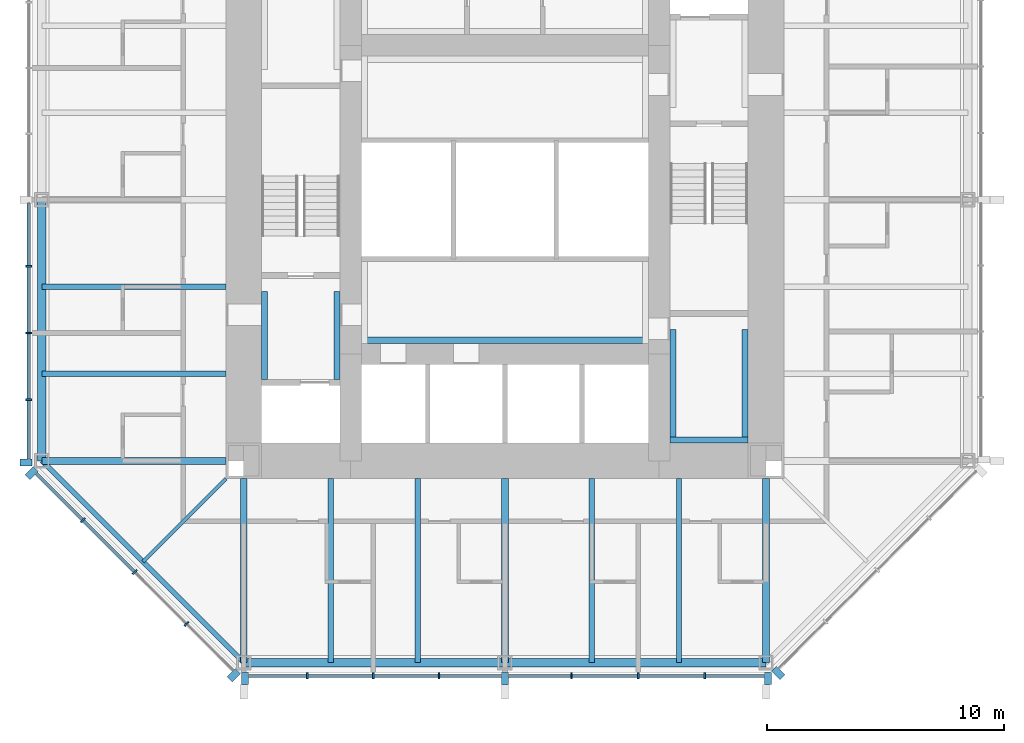
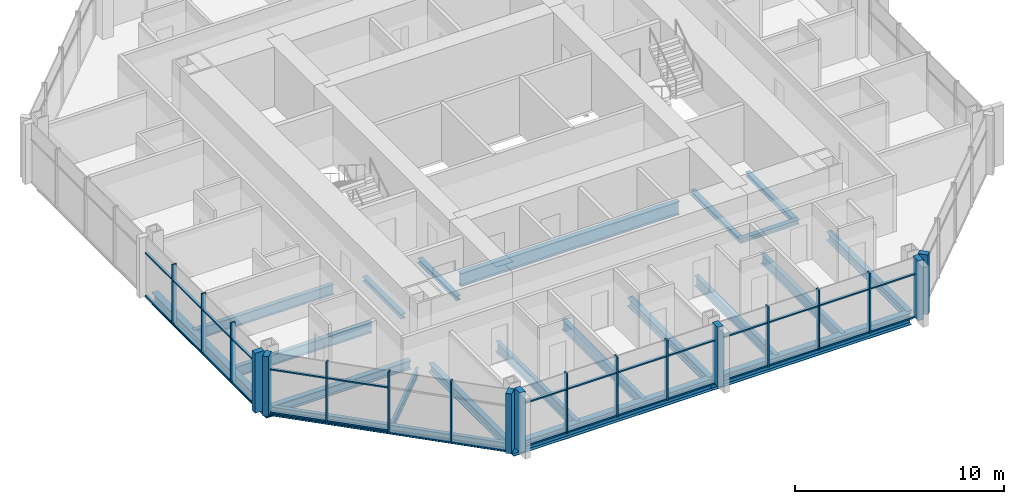
# One storey, part 2 of 12: 47 members, 21 beams, 4 elements without a shape of their own.
"""IFC4 building model written with IfcOpenShell, lengths in metres."""

from ifc_helpers import new_model, si_unit, direction, frame, origin, origin_2d, place, context, subcontext, project, spatial, rectangle, i_section, extrude, material, material_profile, profile_set, type_object, element, aggregate, save


model = new_model("IFC4")

# Units and contexts
model_context = context("Model", 3, precision=1e-05, world=origin(), true_north=direction((0.0, 1.0)))
body_context = subcontext(model_context, "Body", "Model", "MODEL_VIEW")
ifc_project = project(units=[si_unit("LENGTHUNIT", "METRE"), si_unit("AREAUNIT", "SQUARE_METRE"), si_unit("VOLUMEUNIT", "CUBIC_METRE"), si_unit("PLANEANGLEUNIT", "RADIAN"), si_unit("MASSUNIT", "GRAM", prefix="KILO")], contexts=[model_context])

# Site, building, storey
site_placement = place(None, origin())
site = spatial("IfcSite", under=ifc_project, at=site_placement, CompositionType="ELEMENT")
building_placement = place(site_placement, origin())
building = spatial("IfcBuilding", under=site, at=building_placement, Name="Trevanion Tower", CompositionType="ELEMENT")
storey_placement = place(building_placement, frame((0.0, 0.0, 208.199951171875)))
storey = spatial("IfcBuildingStorey", under=building, at=storey_placement, Name="L49", CompositionType="ELEMENT", Elevation=208.199951171875)

# Beams
ifc_material_1 = material(Name="Steel ASTM A992 Grade 50", Category="steel")
ifc_material_profile_1 = material_profile(ifc_material_1, i_section(OverallWidth=0.228271484375, OverallDepth=0.607177734375, WebThickness=0.01123046875, FlangeThickness=0.017333984375, at=origin_2d()), Name="W24X76")
ifc_profile_set_1 = profile_set([ifc_material_profile_1], Name="Steel ASTM A992 Grade 50")
beam_type_1 = type_object("IfcBeamType", Name="B11 W24X76", PredefinedType="BEAM", material=ifc_profile_set_1)
for number, where, z_axis, x_axis, name in (
    (1, (-11.75, -3.666748046875, -0.493408203125), (-1.0, 0.0, 0.0), (0.0, -1.0, 0.0), "B11 L49"),
    (2, (-11.75, -7.333251953125, -0.493408203125), (-1.0, 0.0, 0.0), (0.0, -1.0, 0.0), "B11 L49"),
    (3, (-7.333251953125, -11.75, -0.493408203125), (0.0, -1.0, 0.0), (1.0, 0.0, 0.0), "B11 L49"),
    (4, (-3.666748046875, -11.75, -0.493408203125), (0.0, -1.0, 0.0), (1.0, 0.0, 0.0), "B11 L49"),
    (5, (3.666748046875, -11.75, -0.493408203125), (0.0, -1.0, 0.0), (1.0, 0.0, 0.0), "B11 L49"),
    (6, (7.333251953125, -11.75, -0.493408203125), (0.0, -1.0, 0.0), (1.0, 0.0, 0.0), "B11 L49"),
):
    element("IfcBeam", number, at=place(storey_placement, frame(where, z_axis=z_axis, x_axis=x_axis)), inside=storey, type_object=beam_type_1, Name=name, PredefinedType="BEAM", context=body_context, shape_type="SweptSolid", body=[
        extrude(i_section(OverallWidth=0.228271484375, OverallDepth=0.607177734375, WebThickness=0.01123046875, FlangeThickness=0.017333984375, at=origin_2d()), origin(), (0.0, 0.0, 1.0), 7.75),
    ])
ifc_material_2 = material(Name="Steel ASTM A992 Grade 50", Category="steel")
ifc_material_profile_2 = material_profile(ifc_material_2, i_section(OverallWidth=0.15234375, OverallDepth=0.449462890625, WebThickness=0.007568359375, FlangeThickness=0.0107421875, at=origin_2d()), Name="W18X35")
ifc_profile_set_2 = profile_set([ifc_material_profile_2], Name="Steel ASTM A992 Grade 50")
beam_type_2 = type_object("IfcBeamType", Name="B12 W18X35", PredefinedType="BEAM", material=ifc_profile_set_2)
beam_1_placement = place(storey_placement, frame((-11.75, -11.75, -0.414794921875), z_axis=(-0.707106781187, -0.707106781187, 0.0), x_axis=(0.707106781187, -0.707106781187, 0.0)))
element("IfcBeam", 7, at=beam_1_placement, inside=storey, type_object=beam_type_2, Name="B12 L49", PredefinedType="BEAM", context=body_context, shape_type="SweptSolid", body=[
    extrude(i_section(OverallWidth=0.15234375, OverallDepth=0.449462890625, WebThickness=0.007568359375, FlangeThickness=0.0107421875, at=origin_2d()), origin(), (0.0, 0.0, 1.0), 4.94970703125),
])

# Curtain wall, members
ifc_material_3 = material(Name="Aluminium and glass", Category="aluminium")
curtain_wall_type = type_object("IfcCurtainWallType", Name="CW3 curtain wall", PredefinedType="USERDEFINED", material=ifc_material_3)
curtain_wall_1_placement = place(storey_placement, origin())
curtain_wall_1 = element("IfcCurtainWall", 8, at=curtain_wall_1_placement, inside=storey, type_object=curtain_wall_type, Name="CW3 L49 4", ObjectType="UNITISED CURTAIN WALL", PredefinedType="USERDEFINED")
ifc_material_4 = material(Name="Aluminium extrusion, anodised bronze", Category="aluminium")
ifc_material_profile_3 = material_profile(ifc_material_4, rectangle(XDim=0.074951171875, YDim=0.25, at=origin_2d()), Name="CW3 mullion")
ifc_profile_set_3 = profile_set([ifc_material_profile_3], Name="Aluminium extrusion, anodised bronze")
member_type_1 = type_object("IfcMemberType", Name="CW3 mullion", PredefinedType="MULLION", material=ifc_profile_set_3)
member_1_placement = place(storey_placement, frame((-20.050048828125, -2.806884765625, -0.18994140625), z_axis=(0.0, 0.0, 1.0), x_axis=(0.0, -1.0, 0.0)))
member_1 = element("IfcMember", 9, at=member_1_placement, type_object=member_type_1, Name="CW3 mullion 6", PredefinedType="MULLION", context=body_context, shape_type="SweptSolid", body=[
    extrude(rectangle(XDim=0.074951171875, YDim=0.25, at=origin_2d()), origin(), (0.0, 0.0, 1.0), 3.5),
])
member_2_placement = place(storey_placement, frame((-20.050048828125, -5.614013671875, -0.18994140625), z_axis=(0.0, 0.0, 1.0), x_axis=(0.0, -1.0, 0.0)))
member_2 = element("IfcMember", 10, at=member_2_placement, type_object=member_type_1, Name="CW3 mullion 7", PredefinedType="MULLION", context=body_context, shape_type="SweptSolid", body=[
    extrude(rectangle(XDim=0.074951171875, YDim=0.25, at=origin_2d()), origin(), (0.0, 0.0, 1.0), 3.5),
])
member_3_placement = place(storey_placement, frame((-20.050048828125, -8.4208984375, -0.18994140625), z_axis=(0.0, 0.0, 1.0), x_axis=(0.0, -1.0, 0.0)))
member_3 = element("IfcMember", 11, at=member_3_placement, type_object=member_type_1, Name="CW3 mullion 8", PredefinedType="MULLION", context=body_context, shape_type="SweptSolid", body=[
    extrude(rectangle(XDim=0.074951171875, YDim=0.25, at=origin_2d()), origin(), (0.0, 0.0, 1.0), 3.5),
])

curtain_wall_2_placement = place(storey_placement, origin())
curtain_wall_2 = element("IfcCurtainWall", 12, at=curtain_wall_2_placement, inside=storey, type_object=curtain_wall_type, Name="CW3 L49 5", ObjectType="UNITISED CURTAIN WALL", PredefinedType="USERDEFINED")
member_4_placement = place(storey_placement, frame((-17.775390625, -13.502197265625, -0.18994140625), z_axis=(0.0, 0.0, 1.0), x_axis=(0.707106781187, -0.707106781187, 0.0)))
member_4 = element("IfcMember", 13, at=member_4_placement, type_object=member_type_1, Name="CW3 mullion 2", PredefinedType="MULLION", context=body_context, shape_type="SweptSolid", body=[
    extrude(rectangle(XDim=0.074951171875, YDim=0.25, at=origin_2d()), origin(), (0.0, 0.0, 1.0), 3.5),
])
member_5_placement = place(storey_placement, frame((-15.593017578125, -15.684814453125, -0.18994140625), z_axis=(0.0, 0.0, 1.0), x_axis=(0.707106781187, -0.707106781187, 0.0)))
member_5 = element("IfcMember", 14, at=member_5_placement, type_object=member_type_1, Name="CW3 mullion 3", PredefinedType="MULLION", context=body_context, shape_type="SweptSolid", body=[
    extrude(rectangle(XDim=0.074951171875, YDim=0.25, at=origin_2d()), origin(), (0.0, 0.0, 1.0), 3.5),
])
member_6_placement = place(storey_placement, frame((-13.410400390625, -17.867431640625, -0.18994140625), z_axis=(0.0, 0.0, 1.0), x_axis=(0.707106781187, -0.707106781187, 0.0)))
member_6 = element("IfcMember", 15, at=member_6_placement, type_object=member_type_1, Name="CW3 mullion 4", PredefinedType="MULLION", context=body_context, shape_type="SweptSolid", body=[
    extrude(rectangle(XDim=0.074951171875, YDim=0.25, at=origin_2d()), origin(), (0.0, 0.0, 1.0), 3.5),
])

curtain_wall_3_placement = place(storey_placement, origin())
curtain_wall_3 = element("IfcCurtainWall", 16, at=curtain_wall_3_placement, inside=storey, type_object=curtain_wall_type, Name="CW3 L49 6", ObjectType="UNITISED CURTAIN WALL", PredefinedType="USERDEFINED")
member_7_placement = place(storey_placement, frame((-8.323486328125, -20.050048828125, -0.18994140625), z_axis=(0.0, 0.0, 1.0), x_axis=(1.0, 0.0, 0.0)))
member_7 = element("IfcMember", 17, at=member_7_placement, type_object=member_type_1, Name="CW3 mullion 2", PredefinedType="MULLION", context=body_context, shape_type="SweptSolid", body=[
    extrude(rectangle(XDim=0.074951171875, YDim=0.25, at=origin_2d()), origin(), (0.0, 0.0, 1.0), 3.5),
])
member_8_placement = place(storey_placement, frame((-5.548828125, -20.050048828125, -0.18994140625), z_axis=(0.0, 0.0, 1.0), x_axis=(1.0, 0.0, 0.0)))
member_8 = element("IfcMember", 18, at=member_8_placement, type_object=member_type_1, Name="CW3 mullion 3", PredefinedType="MULLION", context=body_context, shape_type="SweptSolid", body=[
    extrude(rectangle(XDim=0.074951171875, YDim=0.25, at=origin_2d()), origin(), (0.0, 0.0, 1.0), 3.5),
])
member_9_placement = place(storey_placement, frame((-2.7744140625, -20.050048828125, -0.18994140625), z_axis=(0.0, 0.0, 1.0), x_axis=(1.0, 0.0, 0.0)))
member_9 = element("IfcMember", 19, at=member_9_placement, type_object=member_type_1, Name="CW3 mullion 4", PredefinedType="MULLION", context=body_context, shape_type="SweptSolid", body=[
    extrude(rectangle(XDim=0.074951171875, YDim=0.25, at=origin_2d()), origin(), (0.0, 0.0, 1.0), 3.5),
])
member_10_placement = place(storey_placement, frame((2.806884765625, -20.050048828125, -0.18994140625), z_axis=(0.0, 0.0, 1.0), x_axis=(1.0, 0.0, 0.0)))
member_10 = element("IfcMember", 20, at=member_10_placement, type_object=member_type_1, Name="CW3 mullion 6", PredefinedType="MULLION", context=body_context, shape_type="SweptSolid", body=[
    extrude(rectangle(XDim=0.074951171875, YDim=0.25, at=origin_2d()), origin(), (0.0, 0.0, 1.0), 3.5),
])
member_11_placement = place(storey_placement, frame((5.614013671875, -20.050048828125, -0.18994140625), z_axis=(0.0, 0.0, 1.0), x_axis=(1.0, 0.0, 0.0)))
member_11 = element("IfcMember", 21, at=member_11_placement, type_object=member_type_1, Name="CW3 mullion 7", PredefinedType="MULLION", context=body_context, shape_type="SweptSolid", body=[
    extrude(rectangle(XDim=0.074951171875, YDim=0.25, at=origin_2d()), origin(), (0.0, 0.0, 1.0), 3.5),
])
member_12_placement = place(storey_placement, frame((8.4208984375, -20.050048828125, -0.18994140625), z_axis=(0.0, 0.0, 1.0), x_axis=(1.0, 0.0, 0.0)))
member_12 = element("IfcMember", 22, at=member_12_placement, type_object=member_type_1, Name="CW3 mullion 8", PredefinedType="MULLION", context=body_context, shape_type="SweptSolid", body=[
    extrude(rectangle(XDim=0.074951171875, YDim=0.25, at=origin_2d()), origin(), (0.0, 0.0, 1.0), 3.5),
])

# Member
ifc_material_5 = material(Name="Aluminium extrusion, anodised bronze", Category="aluminium")
ifc_material_profile_4 = material_profile(ifc_material_5, rectangle(XDim=0.300048828125, YDim=0.5, at=origin_2d()), Name="CW3 pier mullion")
ifc_profile_set_4 = profile_set([ifc_material_profile_4], Name="Aluminium extrusion, anodised bronze")
member_type_2 = type_object("IfcMemberType", Name="CW3 pier mullion", PredefinedType="MULLION", material=ifc_profile_set_4)
member_13_placement = place(storey_placement, frame((-20.175048828125, -11.077880859375, -0.18994140625), z_axis=(0.0, 0.0, 1.0), x_axis=(0.0, -1.0, 0.0)))
member_13 = element("IfcMember", 23, at=member_13_placement, type_object=member_type_2, Name="CW3 pier mullion 9", PredefinedType="MULLION", context=body_context, shape_type="SweptSolid", body=[
    extrude(rectangle(XDim=0.300048828125, YDim=0.5, at=origin_2d()), origin(), (0.0, 0.0, 1.0), 3.5),
])

member_14_placement = place(storey_placement, frame((-19.9404296875, -11.51416015625, -0.18994140625), z_axis=(0.0, 0.0, 1.0), x_axis=(0.707106781187, -0.707106781187, 0.0)))
member_14 = element("IfcMember", 24, at=member_14_placement, type_object=member_type_2, Name="CW3 pier mullion 1", PredefinedType="MULLION", context=body_context, shape_type="SweptSolid", body=[
    extrude(rectangle(XDim=0.300048828125, YDim=0.5, at=origin_2d()), origin(), (0.0, 0.0, 1.0), 3.5),
])

member_15_placement = place(storey_placement, frame((-11.42236328125, -20.0322265625, -0.18994140625), z_axis=(0.0, 0.0, 1.0), x_axis=(0.707106781187, -0.707106781187, 0.0)))
member_15 = element("IfcMember", 25, at=member_15_placement, type_object=member_type_2, Name="CW3 pier mullion 5", PredefinedType="MULLION", context=body_context, shape_type="SweptSolid", body=[
    extrude(rectangle(XDim=0.300048828125, YDim=0.5, at=origin_2d()), origin(), (0.0, 0.0, 1.0), 3.5),
])

member_16_placement = place(storey_placement, frame((-10.94775390625, -20.175048828125, -0.18994140625), z_axis=(0.0, 0.0, 1.0), x_axis=(1.0, 0.0, 0.0)))
member_16 = element("IfcMember", 26, at=member_16_placement, type_object=member_type_2, Name="CW3 pier mullion 1", PredefinedType="MULLION", context=body_context, shape_type="SweptSolid", body=[
    extrude(rectangle(XDim=0.300048828125, YDim=0.5, at=origin_2d()), origin(), (0.0, 0.0, 1.0), 3.5),
])

member_17_placement = place(storey_placement, frame((0.0, -20.175048828125, -0.18994140625), z_axis=(0.0, 0.0, 1.0), x_axis=(1.0, 0.0, 0.0)))
member_17 = element("IfcMember", 27, at=member_17_placement, type_object=member_type_2, Name="CW3 pier mullion 5", PredefinedType="MULLION", context=body_context, shape_type="SweptSolid", body=[
    extrude(rectangle(XDim=0.300048828125, YDim=0.5, at=origin_2d()), origin(), (0.0, 0.0, 1.0), 3.5),
])

member_18_placement = place(storey_placement, frame((11.077880859375, -20.175048828125, -0.18994140625), z_axis=(0.0, 0.0, 1.0), x_axis=(1.0, 0.0, 0.0)))
member_18 = element("IfcMember", 28, at=member_18_placement, type_object=member_type_2, Name="CW3 pier mullion 9", PredefinedType="MULLION", context=body_context, shape_type="SweptSolid", body=[
    extrude(rectangle(XDim=0.300048828125, YDim=0.5, at=origin_2d()), origin(), (0.0, 0.0, 1.0), 3.5),
])

# Curtain wall, member
curtain_wall_4_placement = place(storey_placement, origin())
curtain_wall_4 = element("IfcCurtainWall", 29, at=curtain_wall_4_placement, inside=storey, type_object=curtain_wall_type, Name="CW3 L49 7", ObjectType="UNITISED CURTAIN WALL", PredefinedType="USERDEFINED")
member_19_placement = place(storey_placement, frame((11.51416015625, -19.9404296875, -0.18994140625), z_axis=(0.0, 0.0, 1.0), x_axis=(0.707106781187, 0.707106781187, 0.0)))
member_19 = element("IfcMember", 30, at=member_19_placement, type_object=member_type_2, Name="CW3 pier mullion 1", PredefinedType="MULLION", context=body_context, shape_type="SweptSolid", body=[
    extrude(rectangle(XDim=0.300048828125, YDim=0.5, at=origin_2d()), origin(), (0.0, 0.0, 1.0), 3.5),
])
aggregate(curtain_wall_4, [member_19])

# Member
ifc_material_6 = material(Name="Aluminium extrusion, anodised bronze", Category="aluminium")
ifc_material_profile_5 = material_profile(ifc_material_6, rectangle(XDim=0.14990234375, YDim=0.074951171875, at=origin_2d()), Name="CW3 transom")
ifc_profile_set_5 = profile_set([ifc_material_profile_5], Name="Aluminium extrusion, anodised bronze")
member_type_3 = type_object("IfcMemberType", Name="CW3 transom", PredefinedType="USERDEFINED", material=ifc_profile_set_5)
member_20_placement = place(storey_placement, frame((-20.050048828125, -0.14990234375, -0.15234375), z_axis=(0.0, -1.0, 0.0), x_axis=(1.0, 0.0, 0.0)))
member_20 = element("IfcMember", 31, at=member_20_placement, type_object=member_type_3, Name="CW3 transom 5.1", ObjectType="TRANSOM", PredefinedType="USERDEFINED", context=body_context, shape_type="SweptSolid", body=[
    extrude(rectangle(XDim=0.14990234375, YDim=0.074951171875, at=origin_2d()), origin(), (0.0, 0.0, 1.0), 2.619384765625),
])

member_21_placement = place(storey_placement, frame((-20.050048828125, -0.14990234375, 2.360107421875), z_axis=(0.0, -1.0, 0.0), x_axis=(1.0, 0.0, 0.0)))
member_21 = element("IfcMember", 32, at=member_21_placement, type_object=member_type_3, Name="CW3 transom 5.2", ObjectType="TRANSOM", PredefinedType="USERDEFINED", context=body_context, shape_type="SweptSolid", body=[
    extrude(rectangle(XDim=0.14990234375, YDim=0.074951171875, at=origin_2d()), origin(), (0.0, 0.0, 1.0), 2.619384765625),
])

member_22_placement = place(storey_placement, frame((-20.050048828125, -2.844482421875, -0.15234375), z_axis=(0.0, -1.0, 0.0), x_axis=(1.0, 0.0, 0.0)))
member_22 = element("IfcMember", 33, at=member_22_placement, type_object=member_type_3, Name="CW3 transom 6.1", ObjectType="TRANSOM", PredefinedType="USERDEFINED", context=body_context, shape_type="SweptSolid", body=[
    extrude(rectangle(XDim=0.14990234375, YDim=0.074951171875, at=origin_2d()), origin(), (0.0, 0.0, 1.0), 2.73193359375),
])

member_23_placement = place(storey_placement, frame((-20.050048828125, -2.844482421875, 2.360107421875), z_axis=(0.0, -1.0, 0.0), x_axis=(1.0, 0.0, 0.0)))
member_23 = element("IfcMember", 34, at=member_23_placement, type_object=member_type_3, Name="CW3 transom 6.2", ObjectType="TRANSOM", PredefinedType="USERDEFINED", context=body_context, shape_type="SweptSolid", body=[
    extrude(rectangle(XDim=0.14990234375, YDim=0.074951171875, at=origin_2d()), origin(), (0.0, 0.0, 1.0), 2.73193359375),
])

member_24_placement = place(storey_placement, frame((-20.050048828125, -5.6513671875, -0.15234375), z_axis=(0.0, -1.0, 0.0), x_axis=(1.0, 0.0, 0.0)))
member_24 = element("IfcMember", 35, at=member_24_placement, type_object=member_type_3, Name="CW3 transom 7.1", ObjectType="TRANSOM", PredefinedType="USERDEFINED", context=body_context, shape_type="SweptSolid", body=[
    extrude(rectangle(XDim=0.14990234375, YDim=0.074951171875, at=origin_2d()), origin(), (0.0, 0.0, 1.0), 2.73193359375),
])

member_25_placement = place(storey_placement, frame((-20.050048828125, -5.6513671875, 2.360107421875), z_axis=(0.0, -1.0, 0.0), x_axis=(1.0, 0.0, 0.0)))
member_25 = element("IfcMember", 36, at=member_25_placement, type_object=member_type_3, Name="CW3 transom 7.2", ObjectType="TRANSOM", PredefinedType="USERDEFINED", context=body_context, shape_type="SweptSolid", body=[
    extrude(rectangle(XDim=0.14990234375, YDim=0.074951171875, at=origin_2d()), origin(), (0.0, 0.0, 1.0), 2.73193359375),
])

member_26_placement = place(storey_placement, frame((-20.050048828125, -8.45849609375, -0.15234375), z_axis=(0.0, -1.0, 0.0), x_axis=(1.0, 0.0, 0.0)))
member_26 = element("IfcMember", 37, at=member_26_placement, type_object=member_type_3, Name="CW3 transom 8.1", ObjectType="TRANSOM", PredefinedType="USERDEFINED", context=body_context, shape_type="SweptSolid", body=[
    extrude(rectangle(XDim=0.14990234375, YDim=0.074951171875, at=origin_2d()), origin(), (0.0, 0.0, 1.0), 2.46923828125),
])

member_27_placement = place(storey_placement, frame((-20.050048828125, -8.45849609375, 2.360107421875), z_axis=(0.0, -1.0, 0.0), x_axis=(1.0, 0.0, 0.0)))
member_27 = element("IfcMember", 38, at=member_27_placement, type_object=member_type_3, Name="CW3 transom 8.2", ObjectType="TRANSOM", PredefinedType="USERDEFINED", context=body_context, shape_type="SweptSolid", body=[
    extrude(rectangle(XDim=0.14990234375, YDim=0.074951171875, at=origin_2d()), origin(), (0.0, 0.0, 1.0), 2.46923828125),
])

aggregate(curtain_wall_1, [member_1, member_2, member_3, member_13, member_20, member_21, member_22, member_23, member_24, member_25, member_26, member_27])

member_28_placement = place(storey_placement, frame((-19.745849609375, -11.531982421875, -0.15234375), z_axis=(0.707106781187, -0.707106781187, 0.0), x_axis=(0.707106781187, 0.707106781187, 0.0)))
member_28 = element("IfcMember", 39, at=member_28_placement, type_object=member_type_3, Name="CW3 transom 1.1", ObjectType="TRANSOM", PredefinedType="USERDEFINED", context=body_context, shape_type="SweptSolid", body=[
    extrude(rectangle(XDim=0.14990234375, YDim=0.074951171875, at=origin_2d()), origin(), (0.0, 0.0, 1.0), 2.7490234375),
])

member_29_placement = place(storey_placement, frame((-19.745849609375, -11.531982421875, 2.360107421875), z_axis=(0.707106781187, -0.707106781187, 0.0), x_axis=(0.707106781187, 0.707106781187, 0.0)))
member_29 = element("IfcMember", 40, at=member_29_placement, type_object=member_type_3, Name="CW3 transom 1.2", ObjectType="TRANSOM", PredefinedType="USERDEFINED", context=body_context, shape_type="SweptSolid", body=[
    extrude(rectangle(XDim=0.14990234375, YDim=0.074951171875, at=origin_2d()), origin(), (0.0, 0.0, 1.0), 2.7490234375),
])

member_30_placement = place(storey_placement, frame((-17.7490234375, -13.52880859375, -0.15234375), z_axis=(0.707106781187, -0.707106781187, 0.0), x_axis=(0.707106781187, 0.707106781187, 0.0)))
member_30 = element("IfcMember", 41, at=member_30_placement, type_object=member_type_3, Name="CW3 transom 2.1", ObjectType="TRANSOM", PredefinedType="USERDEFINED", context=body_context, shape_type="SweptSolid", body=[
    extrude(rectangle(XDim=0.14990234375, YDim=0.074951171875, at=origin_2d()), origin(), (0.0, 0.0, 1.0), 3.01171875),
])

member_31_placement = place(storey_placement, frame((-17.7490234375, -13.52880859375, 2.360107421875), z_axis=(0.707106781187, -0.707106781187, 0.0), x_axis=(0.707106781187, 0.707106781187, 0.0)))
member_31 = element("IfcMember", 42, at=member_31_placement, type_object=member_type_3, Name="CW3 transom 2.2", ObjectType="TRANSOM", PredefinedType="USERDEFINED", context=body_context, shape_type="SweptSolid", body=[
    extrude(rectangle(XDim=0.14990234375, YDim=0.074951171875, at=origin_2d()), origin(), (0.0, 0.0, 1.0), 3.01171875),
])

aggregate(curtain_wall_2, [member_14, member_4, member_5, member_6, member_15, member_28, member_29, member_30, member_31])

member_32_placement = place(storey_placement, frame((-10.7978515625, -20.050048828125, -0.15234375), z_axis=(1.0, 0.0, 0.0), x_axis=(0.0, 1.0, 0.0)))
member_32 = element("IfcMember", 43, at=member_32_placement, type_object=member_type_3, Name="CW3 transom 1.1", ObjectType="TRANSOM", PredefinedType="USERDEFINED", context=body_context, shape_type="SweptSolid", body=[
    extrude(rectangle(XDim=0.14990234375, YDim=0.074951171875, at=origin_2d()), origin(), (0.0, 0.0, 1.0), 2.43701171875),
])

member_33_placement = place(storey_placement, frame((-10.7978515625, -20.050048828125, 2.360107421875), z_axis=(1.0, 0.0, 0.0), x_axis=(0.0, 1.0, 0.0)))
member_33 = element("IfcMember", 44, at=member_33_placement, type_object=member_type_3, Name="CW3 transom 1.2", ObjectType="TRANSOM", PredefinedType="USERDEFINED", context=body_context, shape_type="SweptSolid", body=[
    extrude(rectangle(XDim=0.14990234375, YDim=0.074951171875, at=origin_2d()), origin(), (0.0, 0.0, 1.0), 2.43701171875),
])

member_34_placement = place(storey_placement, frame((-8.285888671875, -20.050048828125, -0.15234375), z_axis=(1.0, 0.0, 0.0), x_axis=(0.0, 1.0, 0.0)))
member_34 = element("IfcMember", 45, at=member_34_placement, type_object=member_type_3, Name="CW3 transom 2.1", ObjectType="TRANSOM", PredefinedType="USERDEFINED", context=body_context, shape_type="SweptSolid", body=[
    extrude(rectangle(XDim=0.14990234375, YDim=0.074951171875, at=origin_2d()), origin(), (0.0, 0.0, 1.0), 2.699462890625),
])

member_35_placement = place(storey_placement, frame((-8.285888671875, -20.050048828125, 2.360107421875), z_axis=(1.0, 0.0, 0.0), x_axis=(0.0, 1.0, 0.0)))
member_35 = element("IfcMember", 46, at=member_35_placement, type_object=member_type_3, Name="CW3 transom 2.2", ObjectType="TRANSOM", PredefinedType="USERDEFINED", context=body_context, shape_type="SweptSolid", body=[
    extrude(rectangle(XDim=0.14990234375, YDim=0.074951171875, at=origin_2d()), origin(), (0.0, 0.0, 1.0), 2.699462890625),
])

member_36_placement = place(storey_placement, frame((-5.511474609375, -20.050048828125, -0.15234375), z_axis=(1.0, 0.0, 0.0), x_axis=(0.0, 1.0, 0.0)))
member_36 = element("IfcMember", 47, at=member_36_placement, type_object=member_type_3, Name="CW3 transom 3.1", ObjectType="TRANSOM", PredefinedType="USERDEFINED", context=body_context, shape_type="SweptSolid", body=[
    extrude(rectangle(XDim=0.14990234375, YDim=0.074951171875, at=origin_2d()), origin(), (0.0, 0.0, 1.0), 2.699462890625),
])

member_37_placement = place(storey_placement, frame((-5.511474609375, -20.050048828125, 2.360107421875), z_axis=(1.0, 0.0, 0.0), x_axis=(0.0, 1.0, 0.0)))
member_37 = element("IfcMember", 48, at=member_37_placement, type_object=member_type_3, Name="CW3 transom 3.2", ObjectType="TRANSOM", PredefinedType="USERDEFINED", context=body_context, shape_type="SweptSolid", body=[
    extrude(rectangle(XDim=0.14990234375, YDim=0.074951171875, at=origin_2d()), origin(), (0.0, 0.0, 1.0), 2.699462890625),
])

member_38_placement = place(storey_placement, frame((-2.737060546875, -20.050048828125, -0.15234375), z_axis=(1.0, 0.0, 0.0), x_axis=(0.0, 1.0, 0.0)))
member_38 = element("IfcMember", 49, at=member_38_placement, type_object=member_type_3, Name="CW3 transom 4.1", ObjectType="TRANSOM", PredefinedType="USERDEFINED", context=body_context, shape_type="SweptSolid", body=[
    extrude(rectangle(XDim=0.14990234375, YDim=0.074951171875, at=origin_2d()), origin(), (0.0, 0.0, 1.0), 2.587158203125),
])

member_39_placement = place(storey_placement, frame((-2.737060546875, -20.050048828125, 2.360107421875), z_axis=(1.0, 0.0, 0.0), x_axis=(0.0, 1.0, 0.0)))
member_39 = element("IfcMember", 50, at=member_39_placement, type_object=member_type_3, Name="CW3 transom 4.2", ObjectType="TRANSOM", PredefinedType="USERDEFINED", context=body_context, shape_type="SweptSolid", body=[
    extrude(rectangle(XDim=0.14990234375, YDim=0.074951171875, at=origin_2d()), origin(), (0.0, 0.0, 1.0), 2.587158203125),
])

member_40_placement = place(storey_placement, frame((0.14990234375, -20.050048828125, -0.15234375), z_axis=(1.0, 0.0, 0.0), x_axis=(0.0, 1.0, 0.0)))
member_40 = element("IfcMember", 51, at=member_40_placement, type_object=member_type_3, Name="CW3 transom 5.1", ObjectType="TRANSOM", PredefinedType="USERDEFINED", context=body_context, shape_type="SweptSolid", body=[
    extrude(rectangle(XDim=0.14990234375, YDim=0.074951171875, at=origin_2d()), origin(), (0.0, 0.0, 1.0), 2.619384765625),
])

member_41_placement = place(storey_placement, frame((0.14990234375, -20.050048828125, 2.360107421875), z_axis=(1.0, 0.0, 0.0), x_axis=(0.0, 1.0, 0.0)))
member_41 = element("IfcMember", 52, at=member_41_placement, type_object=member_type_3, Name="CW3 transom 5.2", ObjectType="TRANSOM", PredefinedType="USERDEFINED", context=body_context, shape_type="SweptSolid", body=[
    extrude(rectangle(XDim=0.14990234375, YDim=0.074951171875, at=origin_2d()), origin(), (0.0, 0.0, 1.0), 2.619384765625),
])

member_42_placement = place(storey_placement, frame((2.844482421875, -20.050048828125, -0.15234375), z_axis=(1.0, 0.0, 0.0), x_axis=(0.0, 1.0, 0.0)))
member_42 = element("IfcMember", 53, at=member_42_placement, type_object=member_type_3, Name="CW3 transom 6.1", ObjectType="TRANSOM", PredefinedType="USERDEFINED", context=body_context, shape_type="SweptSolid", body=[
    extrude(rectangle(XDim=0.14990234375, YDim=0.074951171875, at=origin_2d()), origin(), (0.0, 0.0, 1.0), 2.73193359375),
])

member_43_placement = place(storey_placement, frame((2.844482421875, -20.050048828125, 2.360107421875), z_axis=(1.0, 0.0, 0.0), x_axis=(0.0, 1.0, 0.0)))
member_43 = element("IfcMember", 54, at=member_43_placement, type_object=member_type_3, Name="CW3 transom 6.2", ObjectType="TRANSOM", PredefinedType="USERDEFINED", context=body_context, shape_type="SweptSolid", body=[
    extrude(rectangle(XDim=0.14990234375, YDim=0.074951171875, at=origin_2d()), origin(), (0.0, 0.0, 1.0), 2.73193359375),
])

member_44_placement = place(storey_placement, frame((5.6513671875, -20.050048828125, -0.15234375), z_axis=(1.0, 0.0, 0.0), x_axis=(0.0, 1.0, 0.0)))
member_44 = element("IfcMember", 55, at=member_44_placement, type_object=member_type_3, Name="CW3 transom 7.1", ObjectType="TRANSOM", PredefinedType="USERDEFINED", context=body_context, shape_type="SweptSolid", body=[
    extrude(rectangle(XDim=0.14990234375, YDim=0.074951171875, at=origin_2d()), origin(), (0.0, 0.0, 1.0), 2.73193359375),
])

member_45_placement = place(storey_placement, frame((5.6513671875, -20.050048828125, 2.360107421875), z_axis=(1.0, 0.0, 0.0), x_axis=(0.0, 1.0, 0.0)))
member_45 = element("IfcMember", 56, at=member_45_placement, type_object=member_type_3, Name="CW3 transom 7.2", ObjectType="TRANSOM", PredefinedType="USERDEFINED", context=body_context, shape_type="SweptSolid", body=[
    extrude(rectangle(XDim=0.14990234375, YDim=0.074951171875, at=origin_2d()), origin(), (0.0, 0.0, 1.0), 2.73193359375),
])

member_46_placement = place(storey_placement, frame((8.45849609375, -20.050048828125, -0.15234375), z_axis=(1.0, 0.0, 0.0), x_axis=(0.0, 1.0, 0.0)))
member_46 = element("IfcMember", 57, at=member_46_placement, type_object=member_type_3, Name="CW3 transom 8.1", ObjectType="TRANSOM", PredefinedType="USERDEFINED", context=body_context, shape_type="SweptSolid", body=[
    extrude(rectangle(XDim=0.14990234375, YDim=0.074951171875, at=origin_2d()), origin(), (0.0, 0.0, 1.0), 2.46923828125),
])

member_47_placement = place(storey_placement, frame((8.45849609375, -20.050048828125, 2.360107421875), z_axis=(1.0, 0.0, 0.0), x_axis=(0.0, 1.0, 0.0)))
member_47 = element("IfcMember", 58, at=member_47_placement, type_object=member_type_3, Name="CW3 transom 8.2", ObjectType="TRANSOM", PredefinedType="USERDEFINED", context=body_context, shape_type="SweptSolid", body=[
    extrude(rectangle(XDim=0.14990234375, YDim=0.074951171875, at=origin_2d()), origin(), (0.0, 0.0, 1.0), 2.46923828125),
])

aggregate(curtain_wall_3, [member_16, member_7, member_8, member_9, member_17, member_10, member_11, member_12, member_18, member_32, member_33, member_34, member_35, member_36, member_37, member_38, member_39, member_40, member_41, member_42, member_43, member_44, member_45, member_46, member_47])

# Beams
ifc_material_7 = material(Name="Steel ASTM A992 Grade 50", Category="steel")
ifc_material_profile_6 = material_profile(ifc_material_7, i_section(OverallWidth=0.28955078125, OverallDepth=0.508056640625, WebThickness=0.022705078125, FlangeThickness=0.040283203125, at=origin_2d()), Name="W18X175")
ifc_profile_set_6 = profile_set([ifc_material_profile_6], Name="Steel ASTM A992 Grade 50")
beam_type_3 = type_object("IfcBeamType", Name="G6 W18X175", PredefinedType="BEAM", material=ifc_profile_set_6)
for number, where, z_axis, x_axis, name in (
    (59, (-11.75, -11.0, -0.44384765625), (-1.0, 0.0, 0.0), (0.0, -1.0, 0.0), "G6 L49"),
    (60, (-11.0, -11.75, -0.44384765625), (0.0, -1.0, 0.0), (1.0, 0.0, 0.0), "G6 L49"),
    (61, (0.0, -11.75, -0.44384765625), (0.0, -1.0, 0.0), (1.0, 0.0, 0.0), "G6 L49"),
    (62, (11.0, -11.75, -0.44384765625), (0.0, -1.0, 0.0), (1.0, 0.0, 0.0), "G6 L49"),
):
    element("IfcBeam", number, at=place(storey_placement, frame(where, z_axis=z_axis, x_axis=x_axis)), inside=storey, type_object=beam_type_3, Name=name, PredefinedType="BEAM", context=body_context, shape_type="SweptSolid", body=[
        extrude(i_section(OverallWidth=0.28955078125, OverallDepth=0.508056640625, WebThickness=0.022705078125, FlangeThickness=0.040283203125, at=origin_2d()), origin(), (0.0, 0.0, 1.0), 7.75),
    ])
ifc_material_8 = material(Name="Steel ASTM A992 Grade 50", Category="steel")
ifc_material_profile_7 = material_profile(ifc_material_8, i_section(OverallWidth=0.256591796875, OverallDepth=0.26416015625, WebThickness=0.011962890625, FlangeThickness=0.01953125, at=origin_2d()), Name="W10X68")
ifc_profile_set_7 = profile_set([ifc_material_profile_7], Name="Steel ASTM A992 Grade 50")
beam_type_4 = type_object("IfcBeamType", Name="LB1 W10X68", PredefinedType="BEAM", material=ifc_profile_set_7)
for number, where, z_axis, x_axis, name in (
    (63, (-10.12158203125, -7.574951171875, -0.33203125), (0.0, 1.0, 0.0), (-1.0, 0.0, 0.0), "LB1 L49"),
    (64, (-7.078369140625, -7.574951171875, -0.33203125), (0.0, 1.0, 0.0), (-1.0, 0.0, 0.0), "LB1 L49"),
):
    element("IfcBeam", number, at=place(storey_placement, frame(where, z_axis=z_axis, x_axis=x_axis)), inside=storey, type_object=beam_type_4, Name=name, PredefinedType="BEAM", context=body_context, shape_type="SweptSolid", body=[
        extrude(i_section(OverallWidth=0.256591796875, OverallDepth=0.26416015625, WebThickness=0.011962890625, FlangeThickness=0.01953125, at=origin_2d()), origin(), (0.0, 0.0, 1.0), 3.699951171875),
    ])
for number, where, z_axis, x_axis, name in (
    (65, (7.078369140625, -10.25, -0.33203125), (0.0, 1.0, 0.0), (-1.0, 0.0, 0.0), "LB1 L49"),
    (66, (10.12158203125, -10.25, -0.33203125), (0.0, 1.0, 0.0), (-1.0, 0.0, 0.0), "LB1 L49"),
):
    element("IfcBeam", number, at=place(storey_placement, frame(where, z_axis=z_axis, x_axis=x_axis)), inside=storey, type_object=beam_type_4, Name=name, PredefinedType="BEAM", context=body_context, shape_type="SweptSolid", body=[
        extrude(i_section(OverallWidth=0.256591796875, OverallDepth=0.26416015625, WebThickness=0.011962890625, FlangeThickness=0.01953125, at=origin_2d()), origin(), (0.0, 0.0, 1.0), 4.77490234375),
    ])
beam_2_placement = place(storey_placement, frame((6.949951171875, -10.12158203125, -0.33203125), z_axis=(1.0, 0.0, 0.0), x_axis=(0.0, 1.0, 0.0)))
element("IfcBeam", 67, at=beam_2_placement, inside=storey, type_object=beam_type_4, Name="LB1 L49", PredefinedType="BEAM", context=body_context, shape_type="SweptSolid", body=[
    extrude(i_section(OverallWidth=0.256591796875, OverallDepth=0.26416015625, WebThickness=0.011962890625, FlangeThickness=0.01953125, at=origin_2d()), origin(), (0.0, 0.0, 1.0), 3.300048828125),
])
ifc_material_9 = material(Name="Steel ASTM A992 Grade 50", Category="steel")
ifc_material_profile_8 = material_profile(ifc_material_9, i_section(OverallWidth=0.2666015625, OverallDepth=0.76953125, WebThickness=0.015625, FlangeThickness=0.025390625, at=origin_2d()), Name="W30X132")
ifc_profile_set_8 = profile_set([ifc_material_profile_8], Name="Steel ASTM A992 Grade 50")
beam_type_5 = type_object("IfcBeamType", Name="LB3 W30X132", PredefinedType="BEAM", material=ifc_profile_set_8)
beam_3_placement = place(storey_placement, frame((-6.050048828125, -5.91650390625, -0.584716796875), z_axis=(1.0, 0.0, 0.0), x_axis=(0.0, 1.0, 0.0)))
element("IfcBeam", 68, at=beam_3_placement, inside=storey, type_object=beam_type_5, Name="LB3 L49", PredefinedType="BEAM", context=body_context, shape_type="SweptSolid", body=[
    extrude(i_section(OverallWidth=0.2666015625, OverallDepth=0.76953125, WebThickness=0.015625, FlangeThickness=0.025390625, at=origin_2d()), origin(), (0.0, 0.0, 1.0), 12.10009765625),
])
ifc_material_10 = material(Name="Steel ASTM A992 Grade 50", Category="steel")
ifc_material_profile_9 = material_profile(ifc_material_10, i_section(OverallWidth=0.355712890625, OverallDepth=0.696044921875, WebThickness=0.015380859375, FlangeThickness=0.024658203125, at=origin_2d()), Name="W27X146")
ifc_profile_set_9 = profile_set([ifc_material_profile_9], Name="Steel ASTM A992 Grade 50")
beam_type_6 = type_object("IfcBeamType", Name="SB8 W27X146", PredefinedType="SPANDREL", material=ifc_profile_set_9)
for number, where, z_axis, x_axis, name in (
    (69, (-19.5, 0.0, -0.537841796875), (0.0, -1.0, 0.0), (1.0, 0.0, 0.0), "SB8 L49"),
    (70, (-11.0, -19.5, -0.537841796875), (1.0, 0.0, 0.0), (0.0, 1.0, 0.0), "SB8 L49"),
    (71, (0.0, -19.5, -0.537841796875), (1.0, 0.0, 0.0), (0.0, 1.0, 0.0), "SB8 L49"),
):
    element("IfcBeam", number, at=place(storey_placement, frame(where, z_axis=z_axis, x_axis=x_axis)), inside=storey, type_object=beam_type_6, Name=name, PredefinedType="SPANDREL", context=body_context, shape_type="SweptSolid", body=[
        extrude(i_section(OverallWidth=0.355712890625, OverallDepth=0.696044921875, WebThickness=0.015380859375, FlangeThickness=0.024658203125, at=origin_2d()), origin(), (0.0, 0.0, 1.0), 11.0),
    ])
ifc_material_11 = material(Name="Steel ASTM A992 Grade 50", Category="steel")
ifc_material_profile_10 = material_profile(ifc_material_11, i_section(OverallWidth=0.209228515625, OverallDepth=0.533447265625, WebThickness=0.01025390625, FlangeThickness=0.015625, at=origin_2d()), Name="W21X62")
ifc_profile_set_10 = profile_set([ifc_material_profile_10], Name="Steel ASTM A992 Grade 50")
beam_type_7 = type_object("IfcBeamType", Name="SB9 W21X62", PredefinedType="SPANDREL", material=ifc_profile_set_10)
beam_4_placement = place(storey_placement, frame((-19.5, -11.0, -0.45654296875), z_axis=(0.707106781187, -0.707106781187, 0.0), x_axis=(0.707106781187, 0.707106781187, 0.0)))
element("IfcBeam", 72, at=beam_4_placement, inside=storey, type_object=beam_type_7, Name="SB9 L49", PredefinedType="SPANDREL", context=body_context, shape_type="SweptSolid", body=[
    extrude(i_section(OverallWidth=0.209228515625, OverallDepth=0.533447265625, WebThickness=0.01025390625, FlangeThickness=0.015625, at=origin_2d()), origin(), (0.0, 0.0, 1.0), 12.020751953125),
])

save(model, "model.ifc")
